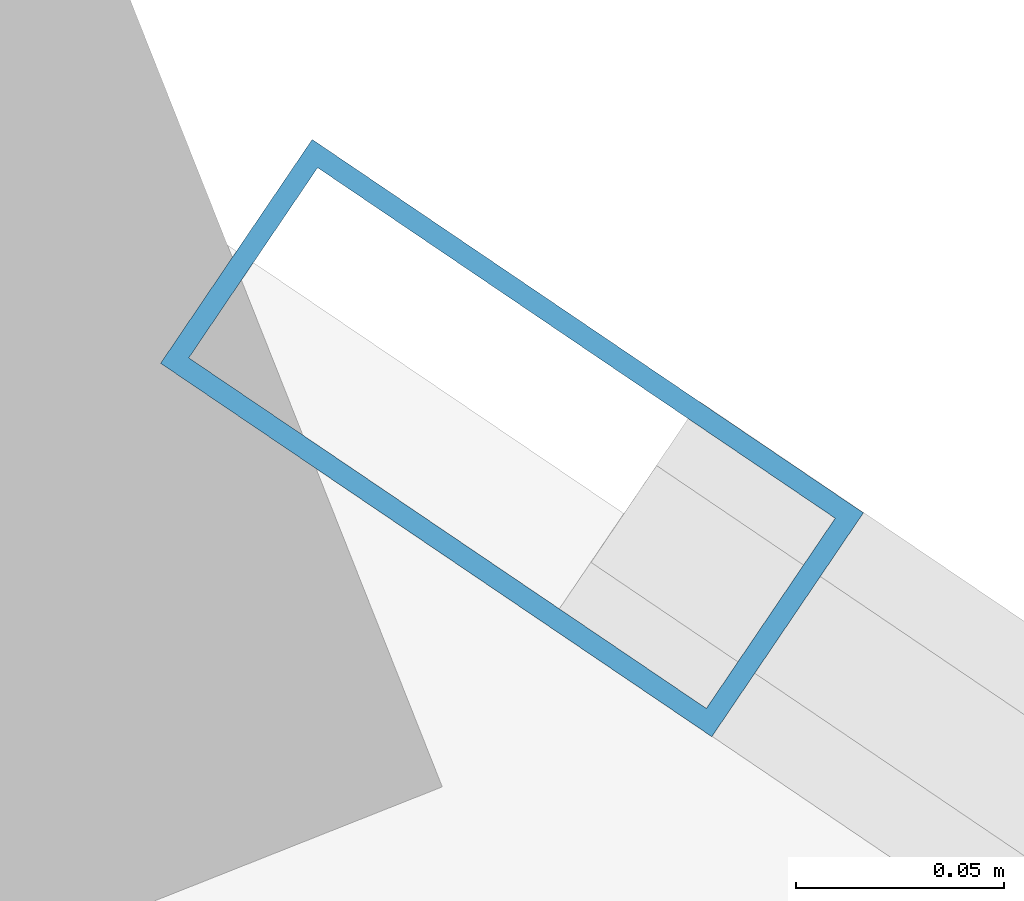
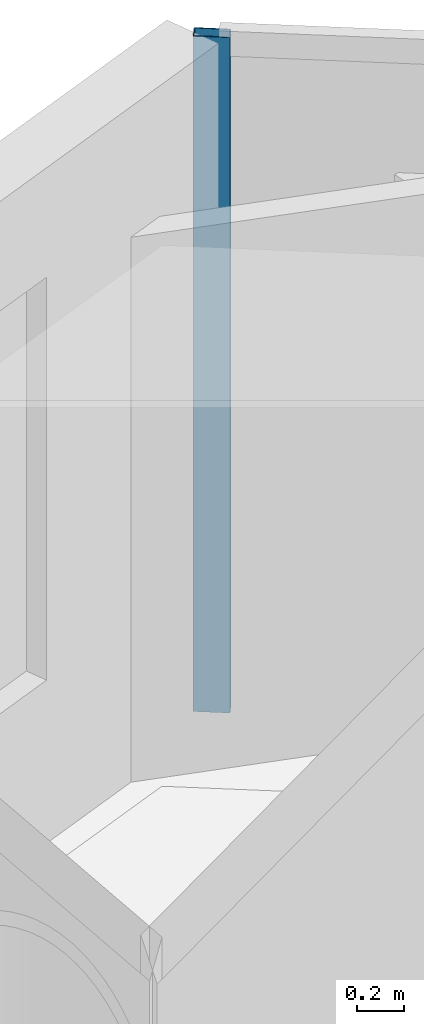
# One storey, part 14 of 21: 1 member, 1 element without a shape of its own.
"""IFC4 building model written with IfcOpenShell, lengths in metres."""

from ifc_helpers import new_model, si_unit, direction, frame, origin, origin_2d, place, context, subcontext, project, spatial, hollow_rectangle, extrude, material, layer, layer_set, material_profile, profile_set, type_object, element, aggregate, save


model = new_model("IFC4")

# Units and contexts
model_context = context("Model", 3, precision=1e-05, world=origin(), true_north=direction((0.0, 1.0)))
body_context = subcontext(model_context, "Body", "Model", "MODEL_VIEW")
ifc_project = project(units=[si_unit("LENGTHUNIT", "METRE"), si_unit("AREAUNIT", "SQUARE_METRE"), si_unit("VOLUMEUNIT", "CUBIC_METRE"), si_unit("PLANEANGLEUNIT", "RADIAN"), si_unit("MASSUNIT", "GRAM", prefix="KILO")], contexts=[model_context])

# Site, building, storey
site_placement = place(None, origin())
site = spatial("IfcSite", under=ifc_project, at=site_placement, CompositionType="ELEMENT")
building_placement = place(site_placement, origin())
building = spatial("IfcBuilding", under=site, at=building_placement, Name="Qianvela Tower", CompositionType="ELEMENT")
storey_placement = place(building_placement, frame((0.0, 0.0, 112.60009765625)))
storey = spatial("IfcBuildingStorey", under=building, at=storey_placement, Name="L28", CompositionType="ELEMENT", Elevation=112.60009765625)

# Curtain wall, member
ifc_material_1 = material(Name="Anodised Architectural Aluminium and Low-E Glass", Category="aluminium")
ifc_layer = layer(ifc_material_1, 0.169921875)
ifc_layer_set = layer_set([ifc_layer], Name="Anodised Architectural Aluminium and Low-E Glass")
curtain_wall_type = type_object("IfcCurtainWallType", Name="CW-COLIV-Z34", PredefinedType="USERDEFINED", material=ifc_layer_set)
curtain_wall_placement = place(storey_placement, origin())
curtain_wall = element("IfcCurtainWall", 1, at=curtain_wall_placement, inside=storey, type_object=curtain_wall_type, Name="L28 CW-COLIV-Z34 Curtain Wall 02C", ObjectType="CURTAIN_WALL_SYSTEM", PredefinedType="USERDEFINED")
ifc_material_2 = material(Name="Anodised Architectural Aluminium 6063-T6", Category="aluminium")
ifc_material_profile = material_profile(ifc_material_2, hollow_rectangle(XDim=0.06494140625, YDim=0.159912109375, WallThickness=0.0048828125, at=origin_2d()), Name="ALU-MULL-65x160")
ifc_profile_set = profile_set([ifc_material_profile], Name="Anodised Architectural Aluminium 6063-T6")
member_type = type_object("IfcMemberType", Name="CW-COLIV-Z34-MULL", PredefinedType="MULLION", material=ifc_profile_set)
member_placement = place(storey_placement, frame((33.256591796875, 44.314453125, 0.0), z_axis=(0.0, 0.0, 1.0), x_axis=(-0.560825274664, -0.827934182951, 0.0)))
member = element("IfcMember", 2, at=member_placement, type_object=member_type, Name="CW-4 mullion 2", PredefinedType="MULLION", context=body_context, shape_type="SweptSolid", body=[
    extrude(hollow_rectangle(XDim=0.06494140625, YDim=0.159912109375, WallThickness=0.0048828125, at=origin_2d()), origin(), (0.0, 0.0, 1.0), 3.52001953125),
])
aggregate(curtain_wall, [member])

save(model, "model.ifc")
